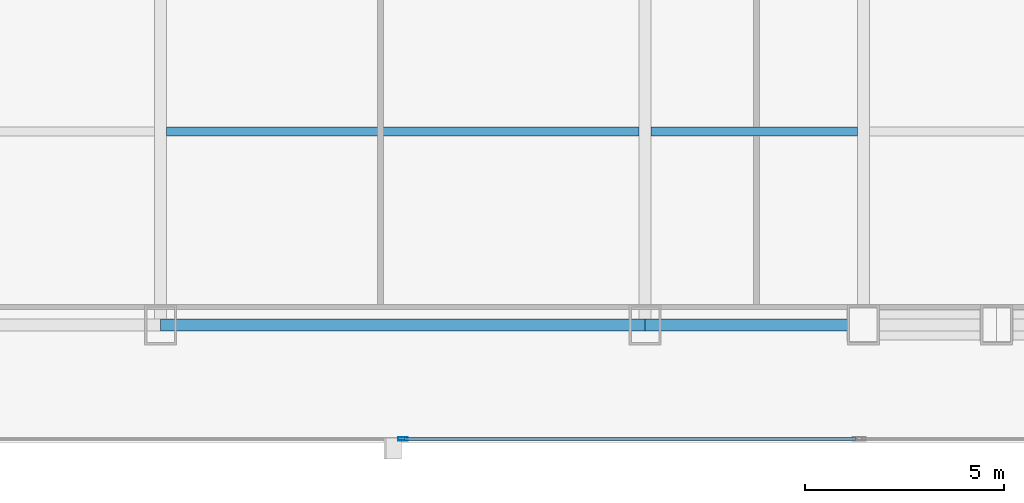
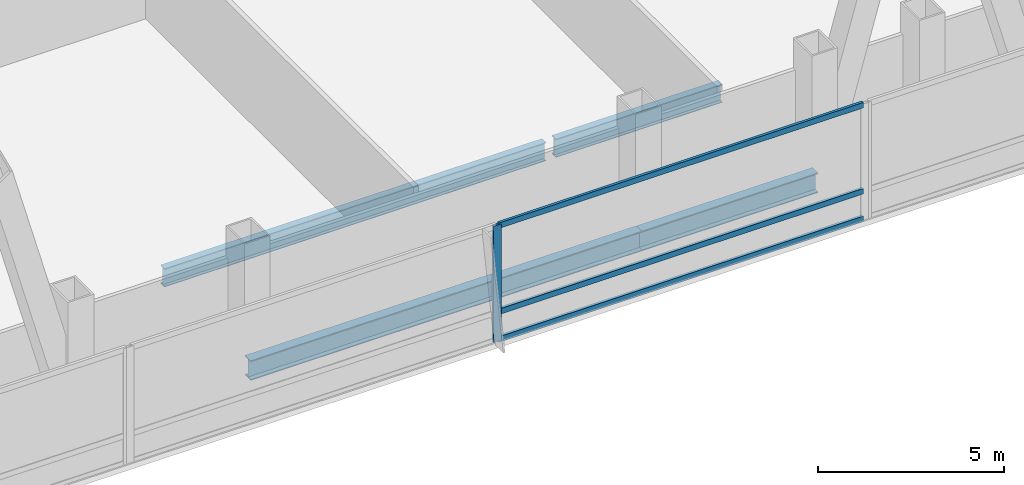
# One storey, part 12 of 35: 4 beams, 4 members, 1 element without a shape of its own.
"""IFC4 building model written with IfcOpenShell, lengths in metres."""

from ifc_helpers import new_model, si_unit, direction, frame, origin, origin_2d, place, context, subcontext, project, spatial, hollow_rectangle, i_section, extrude, material, material_profile, profile_set, type_object, element, aggregate, save


model = new_model("IFC4")

# Units and contexts
model_context = context("Model", 3, precision=1e-05, world=origin(), true_north=direction((0.0, 1.0)))
body_context = subcontext(model_context, "Body", "Model", "MODEL_VIEW")
ifc_project = project(units=[si_unit("LENGTHUNIT", "METRE"), si_unit("AREAUNIT", "SQUARE_METRE"), si_unit("VOLUMEUNIT", "CUBIC_METRE"), si_unit("PLANEANGLEUNIT", "RADIAN"), si_unit("MASSUNIT", "GRAM", prefix="KILO")], contexts=[model_context])

# Site, building, storey
site_placement = place(None, origin())
site = spatial("IfcSite", under=ifc_project, at=site_placement, CompositionType="ELEMENT")
building_placement = place(site_placement, origin())
building = spatial("IfcBuilding", under=site, at=building_placement, Name="Khoronbel Lancet Exchange", CompositionType="ELEMENT")
storey_placement = place(building_placement, frame((0.0, 0.0, 37.800048828125)))
storey = spatial("IfcBuildingStorey", under=building, at=storey_placement, Name="L08", CompositionType="ELEMENT", Elevation=37.800048828125)

# Beams
ifc_material_1 = material(Name="Steel S355", Category="steel")
ifc_material_profile_1 = material_profile(ifc_material_1, i_section(OverallWidth=0.219970703125, OverallDepth=0.60009765625, WebThickness=0.011962890625, FlangeThickness=0.01904296875, at=origin_2d()), Name="IPE 600")
ifc_profile_set_1 = profile_set([ifc_material_profile_1], Name="Steel S355")
beam_type_1 = type_object("IfcBeamType", Name="BM-BJ1", PredefinedType="JOIST", material=ifc_profile_set_1)
beam_1_placement = place(storey_placement, frame((30.52490234375, 15.0, -0.47998046875), z_axis=(1.0, 0.0, 0.0), x_axis=(0.0, 1.0, 0.0)))
element("IfcBeam", 1, at=beam_1_placement, inside=storey, type_object=beam_type_1, Name="Level L08 secondary composite joist J03", PredefinedType="JOIST", context=body_context, shape_type="SweptSolid", body=[
    extrude(i_section(OverallWidth=0.219970703125, OverallDepth=0.60009765625, WebThickness=0.011962890625, FlangeThickness=0.01904296875, at=origin_2d()), origin(), (0.0, 0.0, 1.0), 11.85009765625),
])
beam_2_placement = place(storey_placement, frame((42.675048828125, 15.0, -0.47998046875), z_axis=(1.0, 0.0, 0.0), x_axis=(0.0, 1.0, 0.0)))
element("IfcBeam", 2, at=beam_2_placement, inside=storey, type_object=beam_type_1, Name="Level L08 secondary composite joist J04", PredefinedType="JOIST", context=body_context, shape_type="SweptSolid", body=[
    extrude(i_section(OverallWidth=0.219970703125, OverallDepth=0.60009765625, WebThickness=0.011962890625, FlangeThickness=0.01904296875, at=origin_2d()), origin(), (0.0, 0.0, 1.0), 5.175048828125),
])
ifc_material_profile_2 = material_profile(ifc_material_1, i_section(OverallWidth=0.300048828125, OverallDepth=0.64990234375, WebThickness=0.01611328125, FlangeThickness=0.031005859375, at=origin_2d()), Name="HEB 650")
ifc_profile_set_2 = profile_set([ifc_material_profile_2], Name="Steel S355")
beam_type_2 = type_object("IfcBeamType", Name="BM-BSP1", PredefinedType="SPANDREL", material=ifc_profile_set_2)
beam_3_placement = place(storey_placement, frame((30.375, 10.14990234375, -0.505126953125), z_axis=(1.0, 0.0, 0.0), x_axis=(0.0, 1.0, 0.0)))
element("IfcBeam", 3, at=beam_3_placement, inside=storey, type_object=beam_type_2, Name="Level L08 perimeter spandrel beam SP05", PredefinedType="SPANDREL", context=body_context, shape_type="SweptSolid", body=[
    extrude(i_section(OverallWidth=0.300048828125, OverallDepth=0.64990234375, WebThickness=0.01611328125, FlangeThickness=0.031005859375, at=origin_2d()), origin(), (0.0, 0.0, 1.0), 12.14990234375),
])
beam_4_placement = place(storey_placement, frame((42.52490234375, 10.14990234375, -0.505126953125), z_axis=(1.0, 0.0, 0.0), x_axis=(0.0, 1.0, 0.0)))
element("IfcBeam", 4, at=beam_4_placement, inside=storey, type_object=beam_type_2, Name="Level L08 perimeter spandrel beam SP06", PredefinedType="SPANDREL", context=body_context, shape_type="SweptSolid", body=[
    extrude(i_section(OverallWidth=0.300048828125, OverallDepth=0.64990234375, WebThickness=0.01611328125, FlangeThickness=0.031005859375, at=origin_2d()), origin(), (0.0, 0.0, 1.0), 5.47509765625),
])

# Curtain wall, members
ifc_material_2 = material(Name="Low-E Solar Control Insulating Glass", Category="glass")
curtain_wall_type = type_object("IfcCurtainWallType", Name="CW-1", PredefinedType="NOTDEFINED", material=ifc_material_2)
curtain_wall_placement = place(storey_placement, origin())
curtain_wall = element("IfcCurtainWall", 5, at=curtain_wall_placement, inside=storey, type_object=curtain_wall_type, Name="Unitised curtain wall CW-L08-SCV", PredefinedType="NOTDEFINED")
ifc_material_3 = material(Name="Bronze-Anodised Aluminium 6063-T6", Category="aluminium")
ifc_material_profile_3 = material_profile(ifc_material_3, hollow_rectangle(XDim=0.0849609375, YDim=0.239990234375, WallThickness=0.006103515625, at=origin_2d()), Name="ALU MULLION 85x240")
ifc_profile_set_3 = profile_set([ifc_material_profile_3], Name="Bronze-Anodised Aluminium 6063-T6")
member_type_1 = type_object("IfcMemberType", Name="MEM-CWM1", PredefinedType="MULLION", material=ifc_profile_set_3)
member_1_placement = place(storey_placement, frame((36.449951171875, 7.2900390625, 0.0), z_axis=(0.0, 0.0, 1.0), x_axis=(0.0, 1.0, 0.0)))
member_1 = element("IfcMember", 6, at=member_1_placement, type_object=member_type_1, Name="CW1 mullion 2", PredefinedType="MULLION", context=body_context, shape_type="SweptSolid", body=[
    extrude(hollow_rectangle(XDim=0.0849609375, YDim=0.239990234375, WallThickness=0.006103515625, at=origin_2d()), origin(), (0.0, 0.0, 1.0), 3.820068359375),
])
ifc_material_profile_4 = material_profile(ifc_material_3, hollow_rectangle(XDim=0.0849609375, YDim=0.179931640625, WallThickness=0.0048828125, at=origin_2d()), Name="ALU TRANSOM 85x180")
ifc_profile_set_4 = profile_set([ifc_material_profile_4], Name="Bronze-Anodised Aluminium 6063-T6")
member_type_2 = type_object("IfcMemberType", Name="MEM-CWT1", PredefinedType="USERDEFINED", material=ifc_profile_set_4)
member_2_placement = place(storey_placement, frame((36.492431640625, 7.2900390625, 0.04248046875), z_axis=(1.0, 0.0, 0.0), x_axis=(0.0, 1.0, 0.0)))
member_2 = element("IfcMember", 7, at=member_2_placement, type_object=member_type_2, Name="CW1 transom 2.1", ObjectType="TRANSOM", PredefinedType="USERDEFINED", context=body_context, shape_type="SweptSolid", body=[
    extrude(hollow_rectangle(XDim=0.0849609375, YDim=0.179931640625, WallThickness=0.0048828125, at=origin_2d()), origin(), (0.0, 0.0, 1.0), 11.322509765625),
])
member_3_placement = place(storey_placement, frame((36.492431640625, 7.2900390625, 0.949951171875), z_axis=(1.0, 0.0, 0.0), x_axis=(0.0, 1.0, 0.0)))
member_3 = element("IfcMember", 8, at=member_3_placement, type_object=member_type_2, Name="CW1 transom 2.2", ObjectType="TRANSOM", PredefinedType="USERDEFINED", context=body_context, shape_type="SweptSolid", body=[
    extrude(hollow_rectangle(XDim=0.0849609375, YDim=0.179931640625, WallThickness=0.0048828125, at=origin_2d()), origin(), (0.0, 0.0, 1.0), 11.322509765625),
])
member_4_placement = place(storey_placement, frame((36.492431640625, 7.2900390625, 3.77734375), z_axis=(1.0, 0.0, 0.0), x_axis=(0.0, 1.0, 0.0)))
member_4 = element("IfcMember", 9, at=member_4_placement, type_object=member_type_2, Name="CW1 transom 2.3", ObjectType="TRANSOM", PredefinedType="USERDEFINED", context=body_context, shape_type="SweptSolid", body=[
    extrude(hollow_rectangle(XDim=0.0849609375, YDim=0.179931640625, WallThickness=0.0048828125, at=origin_2d()), origin(), (0.0, 0.0, 1.0), 11.322509765625),
])
aggregate(curtain_wall, [member_1, member_2, member_3, member_4])

save(model, "model.ifc")
